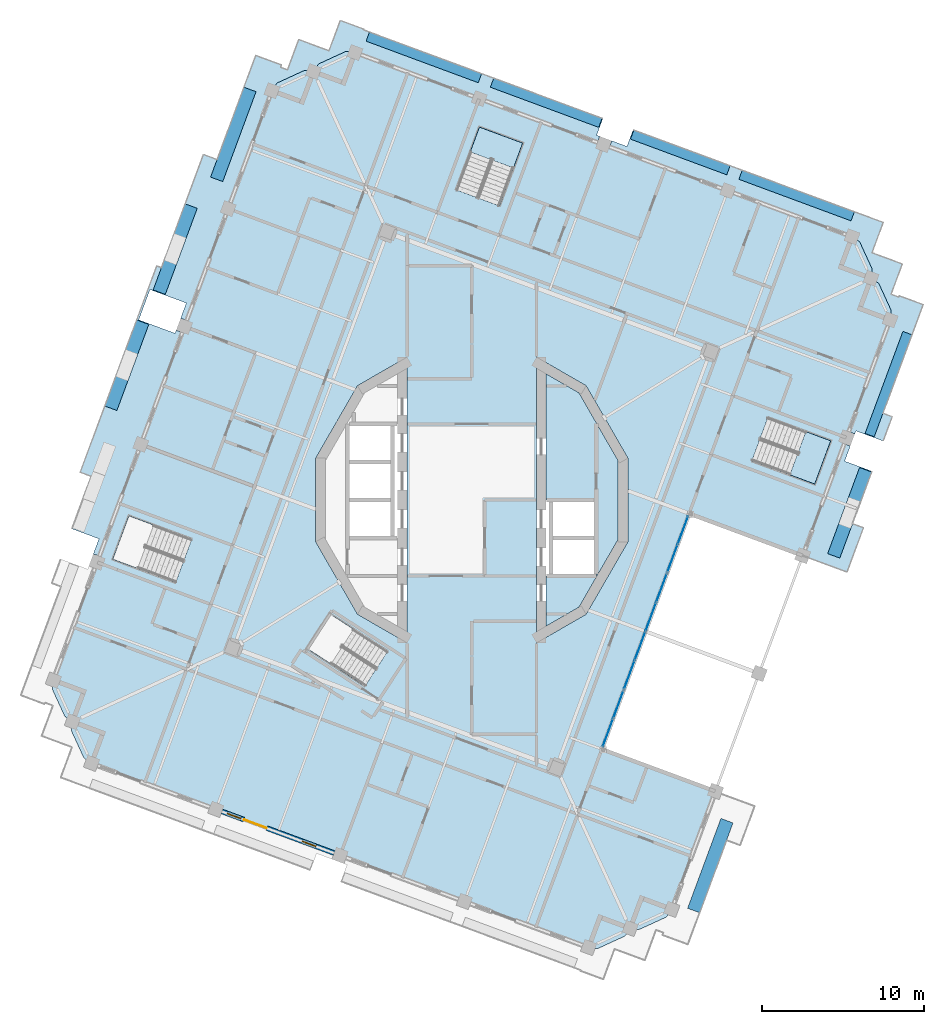
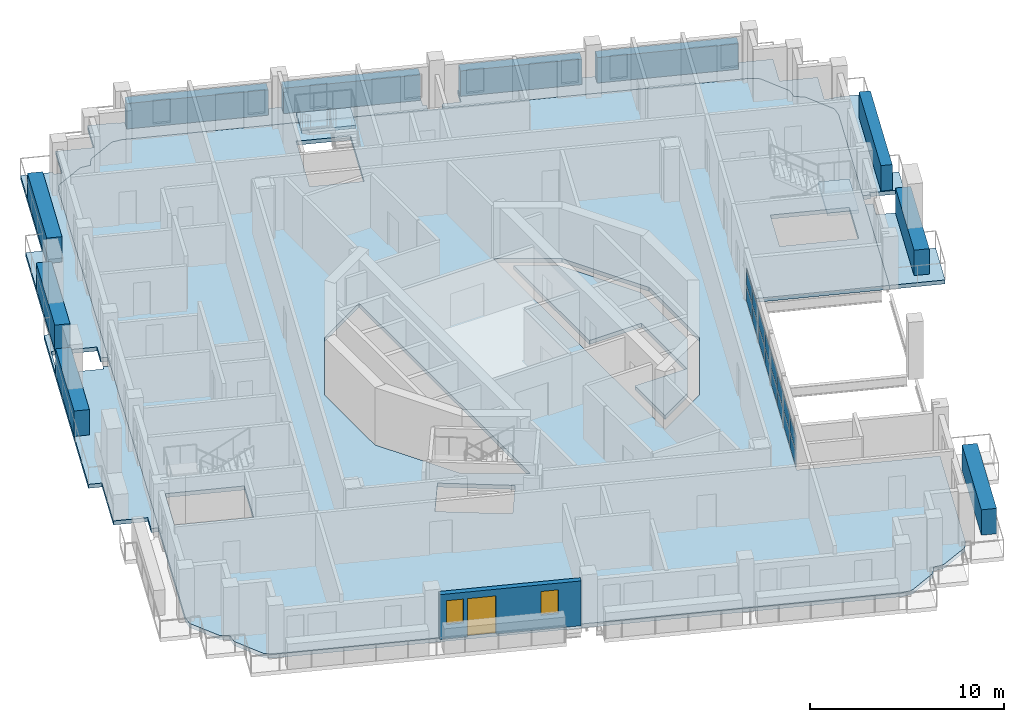
# One storey, part 4 of 19: 26 plates, 7 slabs, 2 windows, 1 door, 1 wall, 3 openings, 3 elements without a shape of their own.
"""IFC4 building model written with IfcOpenShell, lengths in metres."""

import ifcopenshell
import ifcopenshell.guid

model = None  # the IFC model being written
_history = None  # IfcOwnerHistory: only IFC2X3 demands one
_inside = {}  # id of a spatial element -> (the spatial element, [elements in it])
_under = {}  # id of a project, library or spatial element -> (it, [spatial elements below it])
_declared = {}  # id of a project -> (the project, [libraries it declares])
_typed = {}  # id of a type object -> (the type object, [elements of that type])
_made_of = {}  # id of a material, layer set ... -> (it, [elements and type objects made of it])


def new_model(schema):
    """Start an empty IFC model of exactly this schema.

    Asked for "IFC4X3", IfcOpenShell would pick the latest addendum, in which some entities
    have other attributes; the version numbers below select the first issue.
    IFC2X3 requires an IfcOwnerHistory on every rooted entity: one is made here for all.
    """
    global model, _history
    if schema == "IFC4X3":
        model = ifcopenshell.file(schema_version=(4, 3, 0, 0))
    else:
        model = ifcopenshell.file(schema=schema)
    _inside.clear()
    _under.clear()
    _declared.clear()
    _typed.clear()
    _made_of.clear()
    _history = None
    if model.schema == "IFC2X3":
        org = make("IfcOrganization", Name="unknown")
        user = make(
            "IfcPersonAndOrganization",
            ThePerson=make("IfcPerson", FamilyName="unknown"),
            TheOrganization=org,
        )
        app = make(
            "IfcApplication",
            ApplicationDeveloper=org,
            Version="unknown",
            ApplicationFullName="unknown",
            ApplicationIdentifier="unknown",
        )
        _history = make(
            "IfcOwnerHistory",
            OwningUser=user,
            OwningApplication=app,
            ChangeAction="ADDED",
            CreationDate=0,
        )
    return model


def make(cls, **values):
    """One entity of the class cls with the attributes given. An attribute that is None is left unset."""
    return model.create_entity(
        cls, **{name: value for name, value in values.items() if value is not None}
    )


def rooted(cls, **values):
    """An entity with a GlobalId (a new one), such as an element, a storey or a relation."""
    return make(cls, GlobalId=ifcopenshell.guid.new(), OwnerHistory=_history, **values)


def si_unit(unit_type, name, prefix=None):
    """IfcSIUnit, for example si_unit("LENGTHUNIT", "METRE", prefix="MILLI")."""
    return make("IfcSIUnit", UnitType=unit_type, Prefix=prefix, Name=name)


def assignment(units):
    """IfcUnitAssignment: the units of a project."""
    return None if units is None else make("IfcUnitAssignment", Units=units)


def point(xyz):
    """IfcCartesianPoint."""
    return None if xyz is None else make("IfcCartesianPoint", Coordinates=xyz)


def direction(xyz):
    """IfcDirection."""
    return None if xyz is None else make("IfcDirection", DirectionRatios=xyz)


def frame(location, z_axis=None, x_axis=None):
    """IfcAxis2Placement3D, a coordinate frame: its origin and axes. An axis left out is left unset."""
    return make(
        "IfcAxis2Placement3D",
        Location=point(location),
        Axis=direction(z_axis),
        RefDirection=direction(x_axis),
    )


def frame_2d(location, x_axis=None):
    """IfcAxis2Placement2D, a coordinate frame in the plane: its origin and x axis."""
    return make(
        "IfcAxis2Placement2D", Location=point(location), RefDirection=direction(x_axis)
    )


def origin():
    """The frame at (0, 0, 0) with its axes left unset."""
    return frame((0.0, 0.0, 0.0))


def origin_2d():
    """The frame at (0, 0) in the plane with its x axis left unset."""
    return frame_2d((0.0, 0.0))


def place(relative_to, where):
    """IfcLocalPlacement: puts the frame where relative to a parent placement (None: the world)."""
    return make(
        "IfcLocalPlacement", PlacementRelTo=relative_to, RelativePlacement=where
    )


def context(
    kind, dimensions, precision=None, world=None, true_north=None, identifier=None
):
    """IfcGeometricRepresentationContext, for example the 3D "Model" context."""
    return make(
        "IfcGeometricRepresentationContext",
        ContextIdentifier=identifier,
        ContextType=kind,
        CoordinateSpaceDimension=dimensions,
        Precision=precision,
        WorldCoordinateSystem=world,
        TrueNorth=true_north,
    )


def subcontext(parent, identifier, kind, view, scale=None):
    """IfcGeometricRepresentationSubContext, for example "Body" below "Model"."""
    return make(
        "IfcGeometricRepresentationSubContext",
        ContextIdentifier=identifier,
        ContextType=kind,
        ParentContext=parent,
        TargetScale=scale,
        TargetView=view,
    )


def project(units=None, contexts=None):
    """IfcProject with its units and contexts."""
    return rooted(
        "IfcProject",
        Name="project",
        RepresentationContexts=contexts,
        UnitsInContext=assignment(units),
    )


def spatial(cls, under=None, at=None, **own):
    """A site, building, storey or space (cls), placed at a placement, below another one or the project."""
    s = rooted(cls, ObjectPlacement=at, **own)
    if under is not None:
        _under.setdefault(under.id(), (under, []))[1].append(s)
    return s


def polyline(points):
    """IfcPolyline through the points."""
    return make("IfcPolyline", Points=[point(p) for p in points])


def profile(cls, at=None, kind="AREA", **sizes):
    """A parametric profile (cls). Its sizes go by their IFC names, for example OverallWidth=200.0."""
    return make(cls, ProfileType=kind, Position=at, **sizes)


def rectangle(**sizes):
    """IfcRectangleProfileDef."""
    return profile("IfcRectangleProfileDef", **sizes)


def outline(outer, holes=None, kind="AREA"):
    """IfcArbitraryClosedProfileDef: a profile drawn as a closed curve; with holes, ...WithVoids."""
    if holes is None:
        return make("IfcArbitraryClosedProfileDef", ProfileType=kind, OuterCurve=outer)
    return make(
        "IfcArbitraryProfileDefWithVoids",
        ProfileType=kind,
        OuterCurve=outer,
        InnerCurves=holes,
    )


def extrude(swept, where, along, depth):
    """IfcExtrudedAreaSolid: the profile swept, set in the frame where, extruded along a direction by depth."""
    return make(
        "IfcExtrudedAreaSolid",
        SweptArea=swept,
        Position=where,
        ExtrudedDirection=direction(along),
        Depth=depth,
    )


def shape(context_of_items, identifier, shape_type, items):
    """IfcShapeRepresentation: the items that make up one representation, for example the "Body"."""
    return make(
        "IfcShapeRepresentation",
        ContextOfItems=context_of_items,
        RepresentationIdentifier=identifier,
        RepresentationType=shape_type,
        Items=items,
    )


def material(Name=None, Category=None):
    """IfcMaterial."""
    return make("IfcMaterial", Name=Name, Category=Category)


def layer(
    of_material, thickness, ventilated=None, Name=None, Category=None, Priority=None
):
    """IfcMaterialLayer: one layer of a wall or slab, of a material (None: an air gap)."""
    return make(
        "IfcMaterialLayer",
        Material=of_material,
        LayerThickness=thickness,
        IsVentilated=ventilated,
        Name=Name,
        Category=Category,
        Priority=Priority,
    )


def layer_set(layers, Name=None):
    """IfcMaterialLayerSet."""
    return make("IfcMaterialLayerSet", MaterialLayers=layers, LayerSetName=Name)


def made_of(thing, what):
    """Note that an element or type object is made of a material, layer set ...; save() writes the relation."""
    if what is not None:
        _made_of.setdefault(what.id(), (what, []))[1].append(thing)
    return thing


def type_object(cls, material=None, **own):
    """A type object (cls), such as IfcWallType, which elements share."""
    return made_of(rooted(cls, **own), material)


def element(
    cls,
    number,
    at=None,
    inside=None,
    cuts=None,
    type_object=None,
    material=None,
    context=None,
    identifier="Body",
    shape_type=None,
    held_by="IfcProductDefinitionShape",
    body=None,
    shapes=None,
    **own,
):
    """One element of the class cls, such as IfcWall. Its Tag is "e" and its number.

    at: its placement. inside: the storey or other place that contains it. cuts: it is an
    opening in that element (IfcRelVoidsElement). A single representation is given by context,
    identifier, shape_type and body (its items); several are given by shapes. held_by: the class
    of the entity that holds the representations. save() writes the other relations.
    """
    e = rooted(cls, Tag="e%d" % number, ObjectPlacement=at, **own)
    if body is not None:
        shapes = [shape(context, identifier, shape_type, body)]
    if shapes is not None:
        e.Representation = make(held_by, Representations=shapes)
    if inside is not None:
        _inside.setdefault(inside.id(), (inside, []))[1].append(e)
    if cuts is not None:
        rooted(
            "IfcRelVoidsElement", RelatingBuildingElement=cuts, RelatedOpeningElement=e
        )
    if type_object is not None:
        _typed.setdefault(type_object.id(), (type_object, []))[1].append(e)
    return made_of(e, material)


def fill(opening, filler):
    """IfcRelFillsElement: the door or window that sits in an opening."""
    return rooted(
        "IfcRelFillsElement",
        RelatingOpeningElement=opening,
        RelatedBuildingElement=filler,
    )


def aggregate(whole, parts):
    """IfcRelAggregates: a whole, such as a stair, and the parts it consists of."""
    return rooted("IfcRelAggregates", RelatingObject=whole, RelatedObjects=parts)


def save(model, path):
    """Write the relations noted so far, then the file.

    IfcRelAggregates (storeys below a building ...), IfcRelContainedInSpatialStructure (elements
    in a storey), IfcRelDefinesByType, IfcRelAssociatesMaterial and IfcRelDeclares: one each for
    every whole, place, type object, material and project.
    """
    for whole, parts in _under.values():
        aggregate(whole, parts)
    for where, things in _inside.values():
        rooted(
            "IfcRelContainedInSpatialStructure",
            RelatedElements=things,
            RelatingStructure=where,
        )
    for kind, things in _typed.values():
        rooted("IfcRelDefinesByType", RelatedObjects=things, RelatingType=kind)
    for what, things in _made_of.values():
        rooted("IfcRelAssociatesMaterial", RelatedObjects=things, RelatingMaterial=what)
    for by, libraries in _declared.values():
        rooted("IfcRelDeclares", RelatingContext=by, RelatedDefinitions=libraries)
    model.write(path)


model = new_model("IFC4")

# Units and contexts
model_context = context("Model", 3, precision=1e-05, world=origin(), true_north=direction((0.0, 1.0)))
body_context = subcontext(model_context, "Body", "Model", "MODEL_VIEW")
ifc_project = project(units=[si_unit("LENGTHUNIT", "METRE"), si_unit("AREAUNIT", "SQUARE_METRE"), si_unit("VOLUMEUNIT", "CUBIC_METRE"), si_unit("PLANEANGLEUNIT", "RADIAN"), si_unit("MASSUNIT", "GRAM", prefix="KILO")], contexts=[model_context])

# Site, building, storey
site_placement = place(None, origin())
site = spatial("IfcSite", under=ifc_project, at=site_placement, CompositionType="ELEMENT")
building_placement = place(site_placement, origin())
building = spatial("IfcBuilding", under=site, at=building_placement, Name="Cantera Rosa Tower", CompositionType="ELEMENT")
storey_placement = place(building_placement, frame((0.0, 0.0, 334.89990234375)))
storey = spatial("IfcBuildingStorey", under=building, at=storey_placement, Name="L75", CompositionType="ELEMENT", Elevation=334.89990234375)

# Slabs
ifc_material_1 = material(Name="Concrete C35/45", Category="concrete")
ifc_layer_1 = layer(ifc_material_1, 0.25)
ifc_layer_set_1 = layer_set([ifc_layer_1], Name="COMPOSITE FLOOR SLAB 250 C35/45")
slab_type_1 = type_object("IfcSlabType", Name="COMPOSITE FLOOR SLAB 250 C35/45", PredefinedType="FLOOR", material=ifc_layer_set_1)
slab_1_placement = place(storey_placement, frame((0.0, 0.0, -0.25)))
element("IfcSlab", 1, at=slab_1_placement, inside=storey, type_object=slab_type_1, Name="SLAB L75 floor 2", PredefinedType="FLOOR", context=body_context, shape_type="SweptSolid", body=[
    extrude(outline(polyline([(-23.526611328125, -16.2900390625), (-23.919677734375, -16.031494140625), (-23.944091796875, -16.014892578125), (-23.966552734375, -15.99609375), (-23.987060546875, -15.974853515625), (-24.005615234375, -15.951904296875), (-24.021484375, -15.92724609375), (-24.03515625, -15.901123046875), (-24.743408203125, -14.35888671875), (-24.75439453125, -14.331787109375), (-24.7626953125, -14.303466796875), (-24.76806640625, -14.2744140625), (-24.7705078125, -14.2451171875), (-24.770263671875, -14.2158203125), (-24.76708984375, -14.186279296875), (-24.706787109375, -13.7197265625), (-25.10009765625, -13.461181640625), (-25.12451171875, -13.444580078125), (-25.14697265625, -13.42578125), (-25.16748046875, -13.404541015625), (-25.18603515625, -13.381591796875), (-25.201904296875, -13.35693359375), (-25.215576171875, -13.330810546875), (-25.923828125, -11.788818359375), (-25.934814453125, -11.76123046875), (-25.943115234375, -11.733154296875), (-25.948486328125, -11.7041015625), (-25.950927734375, -11.6748046875), (-25.95068359375, -11.6455078125), (-25.947509765625, -11.6162109375), (-25.88720703125, -11.1494140625), (-12.733154296875, 24.347412109375), (-12.370361328125, 25.32666015625), (-12.11181640625, 25.7197265625), (-12.09521484375, 25.744140625), (-12.076171875, 25.7666015625), (-12.05517578125, 25.787353515625), (-12.0322265625, 25.8056640625), (-12.007568359375, 25.82177734375), (-11.9814453125, 25.835205078125), (-10.439208984375, 26.543701171875), (-10.411865234375, 26.554443359375), (-10.383544921875, 26.562744140625), (-10.354736328125, 26.568115234375), (-10.325439453125, 26.57080078125), (-10.2958984375, 26.5703125), (-10.2666015625, 26.567138671875), (-9.800048828125, 26.507080078125), (-9.54150390625, 26.900146484375), (-9.52490234375, 26.924560546875), (-9.505859375, 26.947021484375), (-9.48486328125, 26.9677734375), (-9.4619140625, 26.986083984375), (-9.437255859375, 27.002197265625), (-9.4111328125, 27.015625), (-7.868896484375, 27.72412109375), (-7.841552734375, 27.735107421875), (-7.813232421875, 27.7431640625), (-7.784423828125, 27.74853515625), (-7.7548828125, 27.751220703125), (-7.7255859375, 27.750732421875), (-7.6962890625, 27.74755859375), (-7.2294921875, 27.6875), (-6.25048828125, 27.32470703125), (23.526611328125, 16.2900390625), (23.919677734375, 16.031494140625), (23.944091796875, 16.014892578125), (23.966552734375, 15.99609375), (23.987060546875, 15.974853515625), (24.005615234375, 15.951904296875), (24.021484375, 15.92724609375), (24.03515625, 15.901123046875), (24.743408203125, 14.35888671875), (24.75439453125, 14.331787109375), (24.7626953125, 14.303466796875), (24.76806640625, 14.2744140625), (24.7705078125, 14.2451171875), (24.770263671875, 14.2158203125), (24.76708984375, 14.186279296875), (24.706787109375, 13.7197265625), (25.10009765625, 13.461181640625), (25.12451171875, 13.444580078125), (25.14697265625, 13.42578125), (25.16748046875, 13.404541015625), (25.18603515625, 13.381591796875), (25.201904296875, 13.35693359375), (25.215576171875, 13.330810546875), (25.923828125, 11.788818359375), (25.934814453125, 11.76123046875), (25.943115234375, 11.733154296875), (25.948486328125, 11.7041015625), (25.950927734375, 11.6748046875), (25.95068359375, 11.6455078125), (25.947509765625, 11.6162109375), (25.88720703125, 11.1494140625), (20.48046875, -3.44091796875), (13.447998046875, -0.8349609375), (8.041015625, -15.42529296875), (15.07373046875, -18.031494140625), (12.733154296875, -24.347412109375), (12.370361328125, -25.32666015625), (12.11181640625, -25.7197265625), (12.09521484375, -25.744140625), (12.076171875, -25.7666015625), (12.05517578125, -25.787353515625), (12.0322265625, -25.8056640625), (12.007568359375, -25.82177734375), (11.9814453125, -25.835205078125), (10.439208984375, -26.543701171875), (10.411865234375, -26.554443359375), (10.383544921875, -26.562744140625), (10.354736328125, -26.568115234375), (10.325439453125, -26.57080078125), (10.2958984375, -26.5703125), (10.2666015625, -26.567138671875), (9.800048828125, -26.507080078125), (9.54150390625, -26.900146484375), (9.52490234375, -26.924560546875), (9.505859375, -26.947021484375), (9.48486328125, -26.9677734375), (9.4619140625, -26.986083984375), (9.437255859375, -27.002197265625), (9.4111328125, -27.015625), (7.868896484375, -27.72412109375), (7.841552734375, -27.735107421875), (7.813232421875, -27.7431640625), (7.784423828125, -27.74853515625), (7.7548828125, -27.751220703125), (7.7255859375, -27.750732421875), (7.6962890625, -27.74755859375), (7.2294921875, -27.6875), (6.25048828125, -27.32470703125), (-23.526611328125, -16.2900390625)]), holes=[polyline([(-8.581298828125, -7.1826171875), (-9.97021484375, -9.3212890625), (-6.6044921875, -11.507080078125), (-5.2158203125, -9.368408203125), (-8.581298828125, -7.1826171875)]), polyline([(-17.335693359375, -2.427490234375), (-21.2158203125, -0.989501953125), (-22.206298828125, -3.662109375), (-18.325927734375, -5.099853515625), (-17.335693359375, -2.427490234375)]), polyline([(-9.6591796875, 2.588134765625), (-9.6591796875, -2.588134765625), (-7.071044921875, -7.071044921875), (-4.0, -8.843994140625), (-4.0, 8.843994140625), (-7.071044921875, 7.071044921875), (-9.6591796875, 2.588134765625)]), polyline([(9.6591796875, -2.588134765625), (9.6591796875, 2.588134765625), (7.071044921875, 7.071044921875), (4.0, 8.843994140625), (4.0, -8.843994140625), (7.071044921875, -7.071044921875), (9.6591796875, -2.588134765625)]), polyline([(17.335693359375, 2.427490234375), (21.2158203125, 0.989501953125), (22.206298828125, 3.662109375), (18.325927734375, 5.099853515625), (17.335693359375, 2.427490234375)]), polyline([(1.70654296875, 18.203369140625), (3.14453125, 22.08349609375), (0.47216796875, 23.07373046875), (-0.9658203125, 19.193603515625), (1.70654296875, 18.203369140625)])]), origin(), (0.0, 0.0, 1.0), 0.25),
])
slab_2_placement = place(storey_placement, frame((0.0, 0.0, -0.25)))
element("IfcSlab", 2, at=slab_2_placement, inside=storey, type_object=slab_type_1, Name="SLAB L75 floor 3", PredefinedType="FLOOR", context=body_context, shape_type="SweptSolid", body=[
    extrude(outline(polyline([(4.60009765625, 0.0), (4.60009765625, 7.804931640625), (6.6318359375, 6.6318359375), (9.059326171875, 2.427490234375), (9.059326171875, -2.427490234375), (6.6318359375, -6.6318359375), (4.60009765625, -7.804931640625), (4.60009765625, -4.699951171875), (7.699951171875, -4.699951171875), (7.699951171875, -2.35009765625), (7.699951171875, 0.0), (4.60009765625, 0.0)])), origin(), (0.0, 0.0, 1.0), 0.25),
])

# Curtain wall, plates
ifc_material_2 = material(Name="Aluminium frame with clear glass", Category="aluminium")
curtain_wall_type = type_object("IfcCurtainWallType", Name="CW1 TERRACE POCKET GLAZING", PredefinedType="NOTDEFINED", material=ifc_material_2)
curtain_wall_placement = place(storey_placement, origin())
curtain_wall = element("IfcCurtainWall", 3, at=curtain_wall_placement, inside=storey, type_object=curtain_wall_type, Name="CW1 CW1", PredefinedType="NOTDEFINED")
ifc_material_3 = material(Name="Aluminium frame with clear glass", Category="aluminium")
ifc_layer_2 = layer(ifc_material_3, 0.028076171875)
ifc_layer_set_2 = layer_set([ifc_layer_2], Name="CW-PANEL POCKET")
plate_type_1 = type_object("IfcPlateType", Name="CW-PANEL POCKET", PredefinedType="CURTAIN_PANEL", material=ifc_layer_set_2)
plate_1_placement = place(storey_placement, frame((8.422119140625, -14.396728515625, 0.06005859375), z_axis=(0.0, 0.0, 1.0), x_axis=(0.347481234472, 0.93768693693, 0.0)))
plate_1 = element("IfcPlate", 4, at=plate_1_placement, type_object=plate_type_1, Name="CW1 panel 1.1", PredefinedType="CURTAIN_PANEL", context=body_context, shape_type="SweptSolid", body=[
    extrude(rectangle(XDim=1.82373046875, YDim=0.028076171875, at=origin_2d()), origin(), (0.0, 0.0, 1.0), 0.97412109375),
])
plate_2_placement = place(storey_placement, frame((8.422119140625, -14.396728515625, 1.093994140625), z_axis=(0.0, 0.0, 1.0), x_axis=(0.347481234472, 0.93768693693, 0.0)))
plate_2 = element("IfcPlate", 5, at=plate_2_placement, type_object=plate_type_1, Name="CW1 panel 1.2", PredefinedType="CURTAIN_PANEL", context=body_context, shape_type="SweptSolid", body=[
    extrude(rectangle(XDim=1.82373046875, YDim=0.028076171875, at=origin_2d()), origin(), (0.0, 0.0, 1.0), 0.97412109375),
])
plate_3_placement = place(storey_placement, frame((9.08203125, -12.616455078125, 0.06005859375), z_axis=(0.0, 0.0, 1.0), x_axis=(0.347481234472, 0.93768693693, 0.0)))
plate_3 = element("IfcPlate", 6, at=plate_3_placement, type_object=plate_type_1, Name="CW1 panel 2.1", PredefinedType="CURTAIN_PANEL", context=body_context, shape_type="SweptSolid", body=[
    extrude(rectangle(XDim=1.853759765625, YDim=0.028076171875, at=origin_2d()), origin(), (0.0, 0.0, 1.0), 0.97412109375),
])
plate_4_placement = place(storey_placement, frame((9.08203125, -12.616455078125, 1.093994140625), z_axis=(0.0, 0.0, 1.0), x_axis=(0.347481234472, 0.93768693693, 0.0)))
plate_4 = element("IfcPlate", 7, at=plate_4_placement, type_object=plate_type_1, Name="CW1 panel 2.2", PredefinedType="CURTAIN_PANEL", context=body_context, shape_type="SweptSolid", body=[
    extrude(rectangle(XDim=1.853759765625, YDim=0.028076171875, at=origin_2d()), origin(), (0.0, 0.0, 1.0), 0.97412109375),
])
plate_5_placement = place(storey_placement, frame((9.7470703125, -10.82177734375, 0.06005859375), z_axis=(0.0, 0.0, 1.0), x_axis=(0.347481234472, 0.93768693693, 0.0)))
plate_5 = element("IfcPlate", 8, at=plate_5_placement, type_object=plate_type_1, Name="CW1 panel 3.1", PredefinedType="CURTAIN_PANEL", context=body_context, shape_type="SweptSolid", body=[
    extrude(rectangle(XDim=1.853759765625, YDim=0.028076171875, at=origin_2d()), origin(), (0.0, 0.0, 1.0), 0.97412109375),
])
plate_6_placement = place(storey_placement, frame((9.7470703125, -10.82177734375, 1.093994140625), z_axis=(0.0, 0.0, 1.0), x_axis=(0.347481234472, 0.93768693693, 0.0)))
plate_6 = element("IfcPlate", 9, at=plate_6_placement, type_object=plate_type_1, Name="CW1 panel 3.2", PredefinedType="CURTAIN_PANEL", context=body_context, shape_type="SweptSolid", body=[
    extrude(rectangle(XDim=1.853759765625, YDim=0.028076171875, at=origin_2d()), origin(), (0.0, 0.0, 1.0), 0.97412109375),
])
plate_7_placement = place(storey_placement, frame((10.411865234375, -9.02734375, 0.06005859375), z_axis=(0.0, 0.0, 1.0), x_axis=(0.347481234472, 0.93768693693, 0.0)))
plate_7 = element("IfcPlate", 10, at=plate_7_placement, type_object=plate_type_1, Name="CW1 panel 4.1", PredefinedType="CURTAIN_PANEL", context=body_context, shape_type="SweptSolid", body=[
    extrude(rectangle(XDim=1.853759765625, YDim=0.028076171875, at=origin_2d()), origin(), (0.0, 0.0, 1.0), 0.97412109375),
])
plate_8_placement = place(storey_placement, frame((10.411865234375, -9.02734375, 1.093994140625), z_axis=(0.0, 0.0, 1.0), x_axis=(0.347481234472, 0.93768693693, 0.0)))
plate_8 = element("IfcPlate", 11, at=plate_8_placement, type_object=plate_type_1, Name="CW1 panel 4.2", PredefinedType="CURTAIN_PANEL", context=body_context, shape_type="SweptSolid", body=[
    extrude(rectangle(XDim=1.853759765625, YDim=0.028076171875, at=origin_2d()), origin(), (0.0, 0.0, 1.0), 0.97412109375),
])
plate_9_placement = place(storey_placement, frame((11.076904296875, -7.23291015625, 0.06005859375), z_axis=(0.0, 0.0, 1.0), x_axis=(0.347481234472, 0.93768693693, 0.0)))
plate_9 = element("IfcPlate", 12, at=plate_9_placement, type_object=plate_type_1, Name="CW1 panel 5.1", PredefinedType="CURTAIN_PANEL", context=body_context, shape_type="SweptSolid", body=[
    extrude(rectangle(XDim=1.853759765625, YDim=0.028076171875, at=origin_2d()), origin(), (0.0, 0.0, 1.0), 0.97412109375),
])
plate_10_placement = place(storey_placement, frame((11.076904296875, -7.23291015625, 1.093994140625), z_axis=(0.0, 0.0, 1.0), x_axis=(0.347481234472, 0.93768693693, 0.0)))
plate_10 = element("IfcPlate", 13, at=plate_10_placement, type_object=plate_type_1, Name="CW1 panel 5.2", PredefinedType="CURTAIN_PANEL", context=body_context, shape_type="SweptSolid", body=[
    extrude(rectangle(XDim=1.853759765625, YDim=0.028076171875, at=origin_2d()), origin(), (0.0, 0.0, 1.0), 0.97412109375),
])
plate_11_placement = place(storey_placement, frame((11.741943359375, -5.4384765625, 0.06005859375), z_axis=(0.0, 0.0, 1.0), x_axis=(0.347481234472, 0.93768693693, 0.0)))
plate_11 = element("IfcPlate", 14, at=plate_11_placement, type_object=plate_type_1, Name="CW1 panel 6.1", PredefinedType="CURTAIN_PANEL", context=body_context, shape_type="SweptSolid", body=[
    extrude(rectangle(XDim=1.853759765625, YDim=0.028076171875, at=origin_2d()), origin(), (0.0, 0.0, 1.0), 0.97412109375),
])
plate_12_placement = place(storey_placement, frame((11.741943359375, -5.4384765625, 1.093994140625), z_axis=(0.0, 0.0, 1.0), x_axis=(0.347481234472, 0.93768693693, 0.0)))
plate_12 = element("IfcPlate", 15, at=plate_12_placement, type_object=plate_type_1, Name="CW1 panel 6.2", PredefinedType="CURTAIN_PANEL", context=body_context, shape_type="SweptSolid", body=[
    extrude(rectangle(XDim=1.853759765625, YDim=0.028076171875, at=origin_2d()), origin(), (0.0, 0.0, 1.0), 0.97412109375),
])
plate_13_placement = place(storey_placement, frame((12.406982421875, -3.643798828125, 0.06005859375), z_axis=(0.0, 0.0, 1.0), x_axis=(0.347481234472, 0.93768693693, 0.0)))
plate_13 = element("IfcPlate", 16, at=plate_13_placement, type_object=plate_type_1, Name="CW1 panel 7.1", PredefinedType="CURTAIN_PANEL", context=body_context, shape_type="SweptSolid", body=[
    extrude(rectangle(XDim=1.853759765625, YDim=0.028076171875, at=origin_2d()), origin(), (0.0, 0.0, 1.0), 0.97412109375),
])
plate_14_placement = place(storey_placement, frame((12.406982421875, -3.643798828125, 1.093994140625), z_axis=(0.0, 0.0, 1.0), x_axis=(0.347481234472, 0.93768693693, 0.0)))
plate_14 = element("IfcPlate", 17, at=plate_14_placement, type_object=plate_type_1, Name="CW1 panel 7.2", PredefinedType="CURTAIN_PANEL", context=body_context, shape_type="SweptSolid", body=[
    extrude(rectangle(XDim=1.853759765625, YDim=0.028076171875, at=origin_2d()), origin(), (0.0, 0.0, 1.0), 0.97412109375),
])
plate_15_placement = place(storey_placement, frame((13.066650390625, -1.863525390625, 0.06005859375), z_axis=(0.0, 0.0, 1.0), x_axis=(0.347481234472, 0.93768693693, 0.0)))
plate_15 = element("IfcPlate", 18, at=plate_15_placement, type_object=plate_type_1, Name="CW1 panel 8.1", PredefinedType="CURTAIN_PANEL", context=body_context, shape_type="SweptSolid", body=[
    extrude(rectangle(XDim=1.82373046875, YDim=0.028076171875, at=origin_2d()), origin(), (0.0, 0.0, 1.0), 0.97412109375),
])
plate_16_placement = place(storey_placement, frame((13.066650390625, -1.863525390625, 1.093994140625), z_axis=(0.0, 0.0, 1.0), x_axis=(0.347481234472, 0.93768693693, 0.0)))
plate_16 = element("IfcPlate", 19, at=plate_16_placement, type_object=plate_type_1, Name="CW1 panel 8.2", PredefinedType="CURTAIN_PANEL", context=body_context, shape_type="SweptSolid", body=[
    extrude(rectangle(XDim=1.82373046875, YDim=0.028076171875, at=origin_2d()), origin(), (0.0, 0.0, 1.0), 0.97412109375),
])
aggregate(curtain_wall, [plate_1, plate_2, plate_3, plate_4, plate_5, plate_6, plate_7, plate_8, plate_9, plate_10, plate_11, plate_12, plate_13, plate_14, plate_15, plate_16])

# Slabs
ifc_material_4 = material(Name="Concrete C35/45", Category="concrete")
ifc_layer_3 = layer(ifc_material_4, 0.25)
ifc_layer_set_3 = layer_set([ifc_layer_3], Name="LOGGIA SLAB 250 C35/45")
slab_type_2 = type_object("IfcSlabType", Name="LOGGIA SLAB 250 C35/45", PredefinedType="FLOOR", material=ifc_layer_set_3)
slab_3_placement = place(storey_placement, frame((0.0, 0.0, -0.25)))
element("IfcSlab", 20, at=slab_3_placement, inside=storey, type_object=slab_type_2, Name="LOGGIA SLAB L75 2", PredefinedType="FLOOR", context=body_context, shape_type="SweptSolid", body=[
    extrude(outline(polyline([(-19.5, 14.48779296875), (-19.205810546875, 14.378662109375), (-16.611328125, 21.3798828125), (-15.762451171875, 21.065185546875), (-13.373779296875, 27.511474609375), (-11.779541015625, 26.920654296875), (-11.833251953125, 26.776123046875), (-11.4072265625, 26.618408203125), (-11.24951171875, 27.044189453125), (-10.71240234375, 28.49365234375), (-9.2626953125, 27.95654296875), (-8.8369140625, 27.798583984375), (-8.14208984375, 29.674072265625), (-6.6923828125, 29.136962890625), (-6.70849609375, 29.093994140625), (-0.42578125, 26.765869140625), (2.38720703125, 25.723388671875), (7.26318359375, 23.91650390625), (8.10693359375, 23.603759765625), (7.724853515625, 22.572265625), (7.912353515625, 22.502685546875), (7.7734375, 22.127685546875), (-6.25048828125, 27.32470703125), (-7.2294921875, 27.6875), (-7.6962890625, 27.74755859375), (-7.7255859375, 27.750732421875), (-7.7548828125, 27.751220703125), (-7.784423828125, 27.74853515625), (-7.813232421875, 27.7431640625), (-7.841552734375, 27.735107421875), (-7.868896484375, 27.72412109375), (-9.4111328125, 27.015625), (-9.437255859375, 27.002197265625), (-9.4619140625, 26.986083984375), (-9.48486328125, 26.9677734375), (-9.505859375, 26.947021484375), (-9.52490234375, 26.924560546875), (-9.54150390625, 26.900146484375), (-9.800048828125, 26.507080078125), (-10.2666015625, 26.567138671875), (-10.2958984375, 26.5703125), (-10.325439453125, 26.57080078125), (-10.354736328125, 26.568115234375), (-10.383544921875, 26.562744140625), (-10.411865234375, 26.554443359375), (-10.439208984375, 26.543701171875), (-11.9814453125, 25.835205078125), (-12.007568359375, 25.82177734375), (-12.0322265625, 25.8056640625), (-12.05517578125, 25.787353515625), (-12.076171875, 25.7666015625), (-12.09521484375, 25.744140625), (-12.11181640625, 25.7197265625), (-12.370361328125, 25.32666015625), (-12.733154296875, 24.347412109375), (-17.63818359375, 11.111328125), (-18.01318359375, 11.250244140625), (-17.665771484375, 12.18798828125), (-19.916259765625, 13.02197265625), (-20.611083984375, 11.146484375), (-18.360595703125, 10.3125), (-18.291259765625, 10.5), (-17.916015625, 10.361083984375), (-23.044921875, -3.47900390625), (-23.419921875, -3.340087890625), (-23.072509765625, -2.40234375), (-24.760498046875, -1.77685546875), (-23.55810546875, 1.468505859375), (-24.23193359375, 1.71826171875), (-19.5, 14.48779296875)])), origin(), (0.0, 0.0, 1.0), 0.25),
])
slab_4_placement = place(storey_placement, frame((0.0, 0.0, -0.25)))
element("IfcSlab", 21, at=slab_4_placement, inside=storey, type_object=slab_type_2, Name="LOGGIA SLAB L75 4", PredefinedType="FLOOR", context=body_context, shape_type="SweptSolid", body=[
    extrude(outline(polyline([(17.76513671875, 20.024658203125), (24.047607421875, 17.696533203125), (25.454345703125, 17.17529296875), (24.93310546875, 15.768798828125), (24.75927734375, 15.300048828125), (25.22802734375, 15.126220703125), (26.634765625, 14.60498046875), (26.11328125, 13.198486328125), (25.939697265625, 12.729736328125), (26.408447265625, 12.555908203125), (26.439697265625, 12.639892578125), (27.930419921875, 12.087646484375), (25.439208984375, 5.364990234375), (26.01171875, 5.15283203125), (25.45556640625, 3.652099609375), (23.767578125, 4.27783203125), (23.697998046875, 4.09033203125), (23.322998046875, 4.229248046875), (25.88720703125, 11.1494140625), (25.947509765625, 11.6162109375), (25.95068359375, 11.6455078125), (25.950927734375, 11.6748046875), (25.948486328125, 11.7041015625), (25.943115234375, 11.733154296875), (25.934814453125, 11.76123046875), (25.923828125, 11.788818359375), (25.215576171875, 13.330810546875), (25.201904296875, 13.35693359375), (25.18603515625, 13.381591796875), (25.16748046875, 13.404541015625), (25.14697265625, 13.42578125), (25.12451171875, 13.444580078125), (25.10009765625, 13.461181640625), (24.706787109375, 13.7197265625), (24.76708984375, 14.186279296875), (24.770263671875, 14.2158203125), (24.7705078125, 14.2451171875), (24.76806640625, 14.2744140625), (24.7626953125, 14.303466796875), (24.75439453125, 14.331787109375), (24.743408203125, 14.35888671875), (24.03515625, 15.901123046875), (24.021484375, 15.92724609375), (24.005615234375, 15.951904296875), (23.987060546875, 15.974853515625), (23.966552734375, 15.99609375), (23.944091796875, 16.014892578125), (23.919677734375, 16.031494140625), (23.526611328125, 16.2900390625), (8.5234375, 21.849853515625), (8.66259765625, 22.224853515625), (9.60009765625, 21.87744140625), (9.982421875, 22.90869140625), (10.076171875, 22.8740234375), (14.9521484375, 21.067138671875), (17.76513671875, 20.024658203125)])), origin(), (0.0, 0.0, 1.0), 0.25),
])
slab_5_placement = place(storey_placement, frame((0.0, 0.0, -0.25)))
element("IfcSlab", 22, at=slab_5_placement, inside=storey, type_object=slab_type_2, Name="LOGGIA SLAB L75 5", PredefinedType="FLOOR", context=body_context, shape_type="SweptSolid", body=[
    extrude(outline(polyline([(23.419921875, 3.340087890625), (23.072509765625, 2.40234375), (24.760498046875, 1.77685546875), (23.55810546875, -1.468505859375), (24.23193359375, -1.71826171875), (23.2177734375, -4.455322265625), (20.48046875, -3.44091796875), (23.044921875, 3.47900390625), (23.419921875, 3.340087890625)])), origin(), (0.0, 0.0, 1.0), 0.25),
])

# Plates
ifc_material_5 = material(Name="Cantera stone planter with soil", Category="masonry")
plate_type_2 = type_object("IfcPlateType", Name="PLANTER 600", PredefinedType="USERDEFINED", material=ifc_material_5)
plate_17_placement = place(storey_placement, frame((20.098876953125, 18.83984375, 0.0), z_axis=(0.0, 0.0, 1.0), x_axis=(-0.937686936924, 0.347481234489, 0.0)))
element("IfcPlate", 23, at=plate_17_placement, inside=storey, type_object=plate_type_2, Name="PLANTER L75-01", ObjectType="PLANTER", PredefinedType="USERDEFINED", context=body_context, shape_type="SweptSolid", body=[
    extrude(rectangle(XDim=7.39990234375, YDim=0.60009765625, at=origin_2d()), origin(), (0.0, 0.0, 1.0), 1.60009765625),
])
plate_18_placement = place(storey_placement, frame((12.902099609375, 21.5068359375, 0.0), z_axis=(0.0, 0.0, 1.0), x_axis=(-0.937686936924, 0.347481234489, 0.0)))
element("IfcPlate", 24, at=plate_18_placement, inside=storey, type_object=plate_type_2, Name="PLANTER L75-02", ObjectType="PLANTER", PredefinedType="USERDEFINED", context=body_context, shape_type="SweptSolid", body=[
    extrude(rectangle(XDim=6.35009765625, YDim=0.60009765625, at=origin_2d()), origin(), (0.0, 0.0, 1.0), 1.60009765625),
])
plate_19_placement = place(storey_placement, frame((4.603759765625, 24.58203125, 0.0), z_axis=(0.0, 0.0, 1.0), x_axis=(-0.937686936924, 0.347481234489, 0.0)))
element("IfcPlate", 25, at=plate_19_placement, inside=storey, type_object=plate_type_2, Name="PLANTER L75-03", ObjectType="PLANTER", PredefinedType="USERDEFINED", context=body_context, shape_type="SweptSolid", body=[
    extrude(rectangle(XDim=7.14990234375, YDim=0.60009765625, at=origin_2d()), origin(), (0.0, 0.0, 1.0), 1.60009765625),
])
plate_20_placement = place(storey_placement, frame((-2.968017578125, 27.387939453125, 0.0), z_axis=(0.0, 0.0, 1.0), x_axis=(-0.937686936924, 0.347481234489, 0.0)))
element("IfcPlate", 26, at=plate_20_placement, inside=storey, type_object=plate_type_2, Name="PLANTER L75-04", ObjectType="PLANTER", PredefinedType="USERDEFINED", context=body_context, shape_type="SweptSolid", body=[
    extrude(rectangle(XDim=7.39990234375, YDim=0.60009765625, at=origin_2d()), origin(), (0.0, 0.0, 1.0), 1.60009765625),
])
plate_21_placement = place(storey_placement, frame((25.788330078125, 7.1708984375, 0.0), z_axis=(0.0, 0.0, 1.0), x_axis=(0.347481234489, 0.937686936924, 0.0)))
element("IfcPlate", 27, at=plate_21_placement, inside=storey, type_object=plate_type_2, Name="PLANTER L75-18", ObjectType="PLANTER", PredefinedType="USERDEFINED", context=body_context, shape_type="SweptSolid", body=[
    extrude(rectangle(XDim=6.72998046875, YDim=0.60009765625, at=origin_2d()), origin(), (0.0, 0.0, 1.0), 1.60009765625),
])
ifc_material_6 = material(Name="Cantera stone planter with soil", Category="masonry")
plate_type_3 = type_object("IfcPlateType", Name="PLANTER 800", PredefinedType="USERDEFINED", material=ifc_material_6)
plate_22_placement = place(storey_placement, frame((-14.758544921875, 22.623046875, 0.0), z_axis=(0.0, 0.0, 1.0), x_axis=(-0.347481234489, -0.937686936924, 0.0)))
element("IfcPlate", 28, at=plate_22_placement, inside=storey, type_object=plate_type_3, Name="PLANTER L75-05", ObjectType="PLANTER", PredefinedType="USERDEFINED", context=body_context, shape_type="SweptSolid", body=[
    extrude(rectangle(XDim=5.929931640625, YDim=0.800048828125, at=origin_2d()), origin(), (0.0, 0.0, 1.0), 1.60009765625),
])
for number, where, z_axis, x_axis, name in (
    (29, (-18.3544921875, 15.525146484375, 0.0), (0.0, 0.0, 1.0), (-0.347481234489, -0.937686936924, 0.0), "PLANTER L75-06"),
    (30, (-21.351806640625, 8.339111328125, 0.0), (0.0, 0.0, 1.0), (-0.347481234489, -0.937686936924, 0.0), "PLANTER L75-07"),
):
    element("IfcPlate", number, at=place(storey_placement, frame(where, z_axis=z_axis, x_axis=x_axis)), inside=storey, type_object=plate_type_3, Name=name, ObjectType="PLANTER", PredefinedType="USERDEFINED", context=body_context, shape_type="SweptSolid", body=[
        extrude(rectangle(XDim=5.679931640625, YDim=0.800048828125, at=origin_2d()), origin(), (0.0, 0.0, 1.0), 1.60009765625),
    ])
plate_23_placement = place(storey_placement, frame((14.758544921875, -22.623046875, 0.0), z_axis=(0.0, 0.0, 1.0), x_axis=(0.347481234489, 0.937686936924, 0.0)))
element("IfcPlate", 31, at=plate_23_placement, inside=storey, type_object=plate_type_3, Name="PLANTER L75-14", ObjectType="PLANTER", PredefinedType="USERDEFINED", context=body_context, shape_type="SweptSolid", body=[
    extrude(rectangle(XDim=5.929931640625, YDim=0.800048828125, at=origin_2d()), origin(), (0.0, 0.0, 1.0), 1.60009765625),
])
plate_24_placement = place(storey_placement, frame((23.38134765625, -0.7939453125, 0.0), z_axis=(0.0, 0.0, 1.0), x_axis=(0.347481234489, 0.937686936924, 0.0)))
element("IfcPlate", 32, at=plate_24_placement, inside=storey, type_object=plate_type_3, Name="PLANTER L75-17", ObjectType="PLANTER", PredefinedType="USERDEFINED", context=body_context, shape_type="SweptSolid", body=[
    extrude(rectangle(XDim=5.679931640625, YDim=0.800048828125, at=origin_2d()), origin(), (0.0, 0.0, 1.0), 1.60009765625),
])

# Stair, slab
ifc_material_7 = material(Name="Concrete C35/45", Category="concrete")
stair_type = type_object("IfcStairType", Name="EXIT STAIR 1350 DOGLEG", PredefinedType="HALF_TURN_STAIR", material=ifc_material_7)
stair_1_placement = place(storey_placement, origin())
stair_1 = element("IfcStair", 33, at=stair_1_placement, inside=storey, type_object=stair_type, Name="L75 ST-61", PredefinedType="HALF_TURN_STAIR")
ifc_material_8 = material(Name="Concrete C35/45", Category="concrete")
ifc_layer_4 = layer(ifc_material_8, 0.199951171875)
ifc_layer_set_4 = layer_set([ifc_layer_4], Name="STAIR LANDING 200")
slab_type_3 = type_object("IfcSlabType", Name="STAIR LANDING 200", PredefinedType="LANDING", material=ifc_layer_set_4)
slab_6_placement = place(storey_placement, frame((0.0, 0.0, 1.60009765625)))
slab_6 = element("IfcSlab", 34, at=slab_6_placement, type_object=slab_type_3, Name="ST-61 landing 1", PredefinedType="LANDING", context=body_context, shape_type="SweptSolid", body=[
    extrude(outline(polyline([(19.67626953125, 1.56005859375), (21.2158203125, 0.989501953125), (22.206298828125, 3.661865234375), (20.66650390625, 4.232421875), (19.67626953125, 1.56005859375)])), origin(), (0.0, 0.0, 1.0), 0.199951171875),
])
aggregate(stair_1, [slab_6])

stair_2_placement = place(storey_placement, origin())
stair_2 = element("IfcStair", 35, at=stair_2_placement, inside=storey, type_object=stair_type, Name="L75 ST-62", PredefinedType="HALF_TURN_STAIR")
slab_7_placement = place(storey_placement, frame((0.0, 0.0, 1.60009765625)))
slab_7 = element("IfcSlab", 36, at=slab_7_placement, type_object=slab_type_3, Name="ST-62 landing 1", PredefinedType="LANDING", context=body_context, shape_type="SweptSolid", body=[
    extrude(outline(polyline([(2.573974609375, 20.543701171875), (3.14453125, 22.08349609375), (0.47216796875, 23.07373046875), (-0.098388671875, 21.5341796875), (2.573974609375, 20.543701171875)])), origin(), (0.0, 0.0, 1.0), 0.199951171875),
])
aggregate(stair_2, [slab_7])

# Wall, openings, windows, door
ifc_material_9 = material(Name="Hollow clay masonry with cantera stone cladding", Category="masonry")
ifc_layer_5 = layer(ifc_material_9, 0.300048828125)
ifc_layer_set_5 = layer_set([ifc_layer_5], Name="EW-LOGGIA 300 H2820")
wall_type = type_object("IfcWallType", Name="EW-LOGGIA 300 H2820", PredefinedType="SOLIDWALL", material=ifc_layer_set_5)
wall_placement = place(storey_placement, frame((-15.46240234375, -19.2783203125, 0.0), z_axis=(0.0, 0.0, 1.0), x_axis=(0.937680690562, -0.34749808999, 0.0)))
wall = element("IfcWall", 37, at=wall_placement, inside=storey, type_object=wall_type, Name="EN-L75-W15", PredefinedType="SOLIDWALL", context=body_context, shape_type="SweptSolid", body=[
    extrude(rectangle(XDim=7.400146484375, YDim=0.300048828125, at=frame_2d((3.7001953125, 0.0))), origin(), (0.0, 0.0, 1.0), 2.820068359375),
])
opening_1_placement = place(wall_placement, frame((0.35009765625, 0.0, 0.89990234375)))
opening_1 = element("IfcOpeningElement", 38, at=opening_1_placement, cuts=wall, Name="Opening L75-W31", PredefinedType="OPENING", context=body_context, shape_type="SweptSolid", body=[
    extrude(rectangle(XDim=0.89990234375, YDim=1.5, at=frame_2d((0.449951171875, 0.75))), frame((0.0, 0.159912109375, 0.0), z_axis=(0.0, -1.0, 0.0), x_axis=(1.0, 0.0, 0.0)), (0.0, 0.0, 1.0), 0.320068359375),
])
opening_2_placement = place(wall_placement, frame((1.449951171875, 0.0, 0.0)))
opening_2 = element("IfcOpeningElement", 39, at=opening_2_placement, cuts=wall, Name="Opening L75-TD32", PredefinedType="OPENING", context=body_context, shape_type="SweptSolid", body=[
    extrude(rectangle(XDim=1.5, YDim=2.39990234375, at=frame_2d((0.75, 1.199951171875))), frame((0.0, 0.159912109375, 0.0), z_axis=(0.0, -1.0, 0.0), x_axis=(1.0, 0.0, 0.0)), (0.0, 0.0, 1.0), 0.320068359375),
])
opening_3_placement = place(wall_placement, frame((5.300048828125, 0.0, 0.89990234375)))
opening_3 = element("IfcOpeningElement", 40, at=opening_3_placement, cuts=wall, Name="Opening L75-W33", PredefinedType="OPENING", context=body_context, shape_type="SweptSolid", body=[
    extrude(rectangle(XDim=0.89990234375, YDim=1.5, at=frame_2d((0.449951171875, 0.75))), frame((0.0, 0.159912109375, 0.0), z_axis=(0.0, -1.0, 0.0), x_axis=(1.0, 0.0, 0.0)), (0.0, 0.0, 1.0), 0.320068359375),
])
ifc_material_10 = material(Name="Aluminium frame with clear glass", Category="aluminium")
window_type = type_object("IfcWindowType", Name="Residential window 900x1500", PartitioningType="SINGLE_PANEL", PredefinedType="WINDOW", material=ifc_material_10)
window_1_placement = place(opening_1_placement, origin())
window_1 = element("IfcWindow", 41, at=window_1_placement, inside=storey, type_object=window_type, Name="WINDOW L75-W31", OverallHeight=1.5, OverallWidth=0.89990234375, PartitioningType="SINGLE_PANEL", PredefinedType="WINDOW", context=body_context, shape_type="SweptSolid", body=[
    extrude(rectangle(XDim=0.89990234375, YDim=1.5, at=frame_2d((0.449951171875, 0.75))), frame((0.0, 0.030029296875, 0.0), z_axis=(0.0, -1.0, 0.0), x_axis=(1.0, 0.0, 0.0)), (0.0, 0.0, 1.0), 0.06005859375),
])
fill(opening_1, window_1)
window_2_placement = place(opening_3_placement, origin())
window_2 = element("IfcWindow", 42, at=window_2_placement, inside=storey, type_object=window_type, Name="WINDOW L75-W33", OverallHeight=1.5, OverallWidth=0.89990234375, PartitioningType="SINGLE_PANEL", PredefinedType="WINDOW", context=body_context, shape_type="SweptSolid", body=[
    extrude(rectangle(XDim=0.89990234375, YDim=1.5, at=frame_2d((0.449951171875, 0.75))), frame((0.0, 0.030029296875, 0.0), z_axis=(0.0, -1.0, 0.0), x_axis=(1.0, 0.0, 0.0)), (0.0, 0.0, 1.0), 0.06005859375),
])
fill(opening_3, window_2)
ifc_material_11 = material(Name="Aluminium frame with clear glass", Category="aluminium")
door_type = type_object("IfcDoorType", Name="TD-R 1500x2400", OperationType="NOTDEFINED", PredefinedType="DOOR", material=ifc_material_11)
door_placement = place(opening_2_placement, origin())
door = element("IfcDoor", 43, at=door_placement, inside=storey, type_object=door_type, Name="LOGGIA DOOR L75-TD32", OperationType="SLIDING_TO_LEFT", OverallHeight=2.39990234375, OverallWidth=1.5, PredefinedType="DOOR", context=body_context, shape_type="SweptSolid", body=[
    extrude(rectangle(XDim=1.5, YDim=2.39990234375, at=frame_2d((0.75, 1.199951171875))), frame((0.0, 0.02490234375, 0.0), z_axis=(0.0, -1.0, 0.0), x_axis=(1.0, 0.0, 0.0)), (0.0, 0.0, 1.0), 0.050048828125),
])
fill(opening_2, door)

save(model, "model.ifc")
